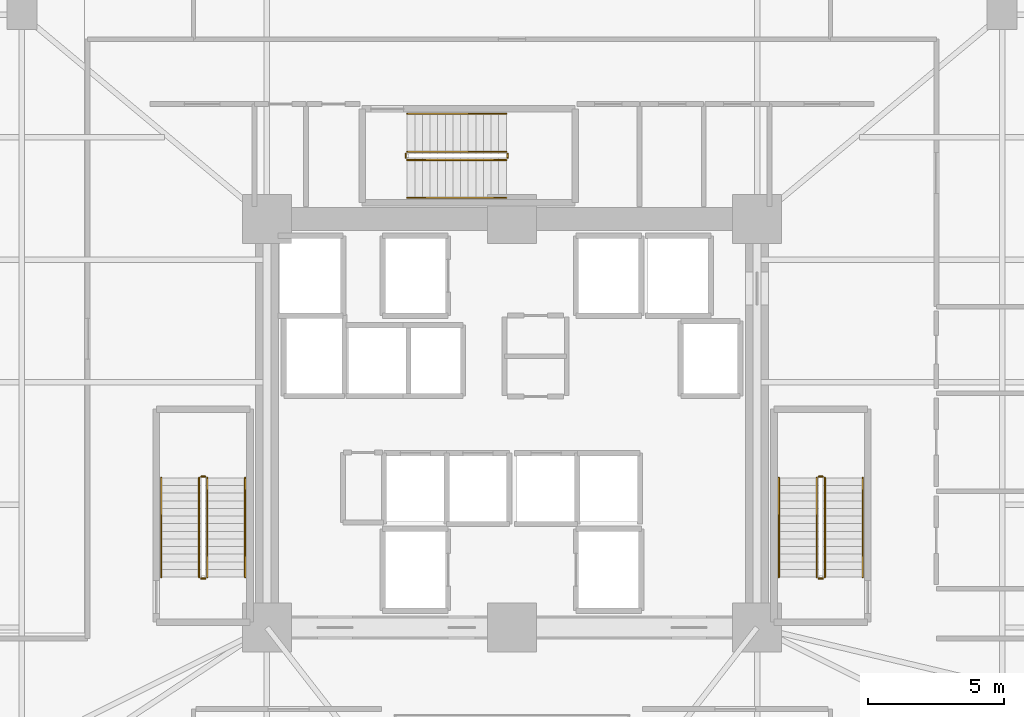
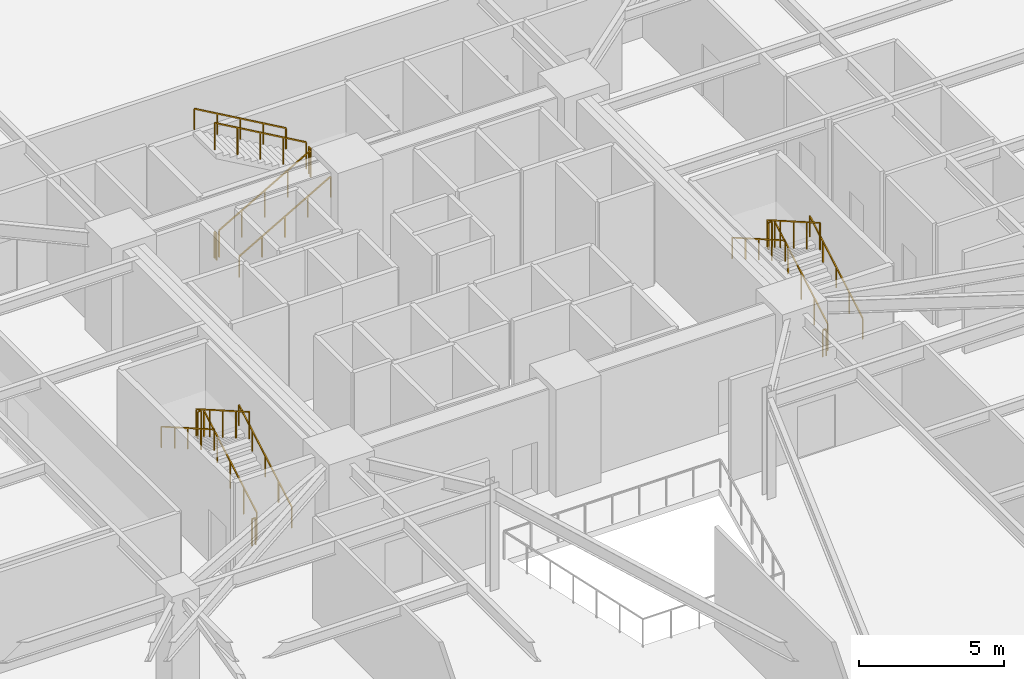
# One storey, part 17 of 19: 18 railings.
"""IFC4 building model written with IfcOpenShell, lengths in metres."""

from ifc_helpers import new_model, si_unit, direction, frame, origin, origin_2d, place, context, subcontext, project, spatial, rectangle, extrude, material, type_object, element, save


model = new_model("IFC4")

# Units and contexts
model_context = context("Model", 3, precision=1e-05, world=origin(), true_north=direction((0.0, 1.0)))
body_context = subcontext(model_context, "Body", "Model", "MODEL_VIEW")
ifc_project = project(units=[si_unit("LENGTHUNIT", "METRE"), si_unit("AREAUNIT", "SQUARE_METRE"), si_unit("VOLUMEUNIT", "CUBIC_METRE"), si_unit("PLANEANGLEUNIT", "RADIAN"), si_unit("MASSUNIT", "GRAM", prefix="KILO")], contexts=[model_context])

# Site, building, storey
site_placement = place(None, origin())
site = spatial("IfcSite", under=ifc_project, at=site_placement, CompositionType="ELEMENT")
building_placement = place(site_placement, origin())
building = spatial("IfcBuilding", under=site, at=building_placement, Name="Liaohun Quay Tower", CompositionType="ELEMENT")
storey_placement = place(building_placement, frame((0.0, 0.0, 9.89990234375)))
storey = spatial("IfcBuildingStorey", under=building, at=storey_placement, Name="L03", CompositionType="ELEMENT", Elevation=9.89990234375)

# Railings
ifc_material_1 = material(Name="Painted tubular steel", Category="steel")
railing_type_1 = type_object("IfcRailingType", Name="RLG-GUARD-STR", PredefinedType="GUARDRAIL", material=ifc_material_1)
railing_1_placement = place(storey_placement, frame((48.81005859375, 48.35009765625, 0.160888671875)))
element("IfcRailing", 1, at=railing_1_placement, inside=storey, type_object=railing_type_1, Name="L03 ST-1 stair guard 1", PredefinedType="GUARDRAIL", context=body_context, shape_type="SweptSolid", body=[
    extrude(rectangle(XDim=0.048095703125, YDim=0.048095703125, at=origin_2d()), frame((0.0, 0.0, 1.1259765625), z_axis=(0.0, 0.867300072446, 0.497785681127), x_axis=(-1.0, 0.0, 0.0)), (0.0, 0.0, 1.0), 4.19677734375),
    extrude(rectangle(XDim=0.0419921875, YDim=0.0419921875, at=origin_2d()), origin(), (0.0, 0.0, 1.0), 1.101806640625),
    extrude(rectangle(XDim=0.0419921875, YDim=0.0419921875, at=origin_2d()), frame((0.0, 0.909912109375, 0.522216796875)), (0.0, 0.0, 1.0), 1.101806640625),
    extrude(rectangle(XDim=0.0419921875, YDim=0.0419921875, at=origin_2d()), frame((0.0, 1.81982421875, 1.04443359375)), (0.0, 0.0, 1.0), 1.101806640625),
    extrude(rectangle(XDim=0.0419921875, YDim=0.0419921875, at=origin_2d()), frame((0.0, 2.72998046875, 1.56689453125)), (0.0, 0.0, 1.0), 1.101806640625),
    extrude(rectangle(XDim=0.0419921875, YDim=0.0419921875, at=origin_2d()), frame((0.0, 3.639892578125, 2.089111328125)), (0.0, 0.0, 1.0), 1.101806640625),
])
railing_2_placement = place(storey_placement, frame((48.72998046875, 52.0400390625, 2.25)))
element("IfcRailing", 2, at=railing_2_placement, inside=storey, type_object=railing_type_1, Name="L03 ST-1 stair guard 2", PredefinedType="GUARDRAIL", context=body_context, shape_type="SweptSolid", body=[
    extrude(rectangle(XDim=0.048095703125, YDim=0.048095703125, at=origin_2d()), frame((0.0, 0.0, 1.1259765625), z_axis=(-1.0, 0.0, 0.0), x_axis=(0.0, -1.0, 0.0)), (0.0, 0.0, 1.0), 0.139892578125),
    extrude(rectangle(XDim=0.0419921875, YDim=0.0419921875, at=origin_2d()), origin(), (0.0, 0.0, 1.0), 1.101806640625),
    extrude(rectangle(XDim=0.0419921875, YDim=0.0419921875, at=origin_2d()), frame((-0.139892578125, 0.0, 0.0)), (0.0, 0.0, 1.0), 1.101806640625),
])
railing_3_placement = place(storey_placement, frame((48.510009765625, 51.989990234375, 2.410888671875)))
element("IfcRailing", 3, at=railing_3_placement, inside=storey, type_object=railing_type_1, Name="L03 ST-1 stair guard 3", PredefinedType="GUARDRAIL", context=body_context, shape_type="SweptSolid", body=[
    extrude(rectangle(XDim=0.048095703125, YDim=0.048095703125, at=origin_2d()), frame((0.0, 0.0, 1.1259765625), z_axis=(0.0, -0.867300072446, 0.497785681127), x_axis=(1.0, 0.0, 0.0)), (0.0, 0.0, 1.0), 4.19677734375),
    extrude(rectangle(XDim=0.0419921875, YDim=0.0419921875, at=origin_2d()), origin(), (0.0, 0.0, 1.0), 1.101806640625),
    extrude(rectangle(XDim=0.0419921875, YDim=0.0419921875, at=origin_2d()), frame((0.0, -0.909912109375, 0.522216796875)), (0.0, 0.0, 1.0), 1.101806640625),
    extrude(rectangle(XDim=0.0419921875, YDim=0.0419921875, at=origin_2d()), frame((0.0, -1.81982421875, 1.04443359375)), (0.0, 0.0, 1.0), 1.101806640625),
    extrude(rectangle(XDim=0.0419921875, YDim=0.0419921875, at=origin_2d()), frame((0.0, -2.72998046875, 1.56689453125)), (0.0, 0.0, 1.0), 1.101806640625),
    extrude(rectangle(XDim=0.0419921875, YDim=0.0419921875, at=origin_2d()), frame((0.0, -3.639892578125, 2.089111328125)), (0.0, 0.0, 1.0), 1.101806640625),
])
railing_4_placement = place(storey_placement, frame((48.72998046875, 48.300048828125, 0.0)))
element("IfcRailing", 4, at=railing_4_placement, inside=storey, type_object=railing_type_1, Name="L03 ST-1 stair guard 4", PredefinedType="GUARDRAIL", context=body_context, shape_type="SweptSolid", body=[
    extrude(rectangle(XDim=0.048095703125, YDim=0.048095703125, at=origin_2d()), frame((0.0, 0.0, 1.1259765625), z_axis=(-1.0, 0.0, 0.0), x_axis=(0.0, -1.0, 0.0)), (0.0, 0.0, 1.0), 0.139892578125),
    extrude(rectangle(XDim=0.0419921875, YDim=0.0419921875, at=origin_2d()), origin(), (0.0, 0.0, 1.0), 1.101806640625),
    extrude(rectangle(XDim=0.0419921875, YDim=0.0419921875, at=origin_2d()), frame((-0.139892578125, 0.0, 0.0)), (0.0, 0.0, 1.0), 1.101806640625),
])
railing_5_placement = place(storey_placement, frame((71.489990234375, 48.35009765625, 0.160888671875)))
element("IfcRailing", 5, at=railing_5_placement, inside=storey, type_object=railing_type_1, Name="L03 ST-2 stair guard 1", PredefinedType="GUARDRAIL", context=body_context, shape_type="SweptSolid", body=[
    extrude(rectangle(XDim=0.048095703125, YDim=0.048095703125, at=origin_2d()), frame((0.0, 0.0, 1.1259765625), z_axis=(0.0, 0.867300072446, 0.497785681127), x_axis=(-1.0, 0.0, 0.0)), (0.0, 0.0, 1.0), 4.19677734375),
    extrude(rectangle(XDim=0.0419921875, YDim=0.0419921875, at=origin_2d()), origin(), (0.0, 0.0, 1.0), 1.101806640625),
    extrude(rectangle(XDim=0.0419921875, YDim=0.0419921875, at=origin_2d()), frame((0.0, 0.909912109375, 0.522216796875)), (0.0, 0.0, 1.0), 1.101806640625),
    extrude(rectangle(XDim=0.0419921875, YDim=0.0419921875, at=origin_2d()), frame((0.0, 1.81982421875, 1.04443359375)), (0.0, 0.0, 1.0), 1.101806640625),
    extrude(rectangle(XDim=0.0419921875, YDim=0.0419921875, at=origin_2d()), frame((0.0, 2.72998046875, 1.56689453125)), (0.0, 0.0, 1.0), 1.101806640625),
    extrude(rectangle(XDim=0.0419921875, YDim=0.0419921875, at=origin_2d()), frame((0.0, 3.639892578125, 2.089111328125)), (0.0, 0.0, 1.0), 1.101806640625),
])
railing_6_placement = place(storey_placement, frame((71.409912109375, 52.0400390625, 2.25)))
element("IfcRailing", 6, at=railing_6_placement, inside=storey, type_object=railing_type_1, Name="L03 ST-2 stair guard 2", PredefinedType="GUARDRAIL", context=body_context, shape_type="SweptSolid", body=[
    extrude(rectangle(XDim=0.048095703125, YDim=0.048095703125, at=origin_2d()), frame((0.0, 0.0, 1.1259765625), z_axis=(-1.0, 0.0, 0.0), x_axis=(0.0, -1.0, 0.0)), (0.0, 0.0, 1.0), 0.139892578125),
    extrude(rectangle(XDim=0.0419921875, YDim=0.0419921875, at=origin_2d()), origin(), (0.0, 0.0, 1.0), 1.101806640625),
    extrude(rectangle(XDim=0.0419921875, YDim=0.0419921875, at=origin_2d()), frame((-0.139892578125, 0.0, 0.0)), (0.0, 0.0, 1.0), 1.101806640625),
])
railing_7_placement = place(storey_placement, frame((71.18994140625, 51.989990234375, 2.410888671875)))
element("IfcRailing", 7, at=railing_7_placement, inside=storey, type_object=railing_type_1, Name="L03 ST-2 stair guard 3", PredefinedType="GUARDRAIL", context=body_context, shape_type="SweptSolid", body=[
    extrude(rectangle(XDim=0.048095703125, YDim=0.048095703125, at=origin_2d()), frame((0.0, 0.0, 1.1259765625), z_axis=(0.0, -0.867300072446, 0.497785681127), x_axis=(1.0, 0.0, 0.0)), (0.0, 0.0, 1.0), 4.19677734375),
    extrude(rectangle(XDim=0.0419921875, YDim=0.0419921875, at=origin_2d()), origin(), (0.0, 0.0, 1.0), 1.101806640625),
    extrude(rectangle(XDim=0.0419921875, YDim=0.0419921875, at=origin_2d()), frame((0.0, -0.909912109375, 0.522216796875)), (0.0, 0.0, 1.0), 1.101806640625),
    extrude(rectangle(XDim=0.0419921875, YDim=0.0419921875, at=origin_2d()), frame((0.0, -1.81982421875, 1.04443359375)), (0.0, 0.0, 1.0), 1.101806640625),
    extrude(rectangle(XDim=0.0419921875, YDim=0.0419921875, at=origin_2d()), frame((0.0, -2.72998046875, 1.56689453125)), (0.0, 0.0, 1.0), 1.101806640625),
    extrude(rectangle(XDim=0.0419921875, YDim=0.0419921875, at=origin_2d()), frame((0.0, -3.639892578125, 2.089111328125)), (0.0, 0.0, 1.0), 1.101806640625),
])
railing_8_placement = place(storey_placement, frame((71.409912109375, 48.300048828125, 0.0)))
element("IfcRailing", 8, at=railing_8_placement, inside=storey, type_object=railing_type_1, Name="L03 ST-2 stair guard 4", PredefinedType="GUARDRAIL", context=body_context, shape_type="SweptSolid", body=[
    extrude(rectangle(XDim=0.048095703125, YDim=0.048095703125, at=origin_2d()), frame((0.0, 0.0, 1.1259765625), z_axis=(-1.0, 0.0, 0.0), x_axis=(0.0, -1.0, 0.0)), (0.0, 0.0, 1.0), 0.139892578125),
    extrude(rectangle(XDim=0.0419921875, YDim=0.0419921875, at=origin_2d()), origin(), (0.0, 0.0, 1.0), 1.101806640625),
    extrude(rectangle(XDim=0.0419921875, YDim=0.0419921875, at=origin_2d()), frame((-0.139892578125, 0.0, 0.0)), (0.0, 0.0, 1.0), 1.101806640625),
])
railing_9_placement = place(storey_placement, frame((56.14990234375, 63.669921875, 0.160888671875)))
element("IfcRailing", 9, at=railing_9_placement, inside=storey, type_object=railing_type_1, Name="L03 ST-3 stair guard 1", PredefinedType="GUARDRAIL", context=body_context, shape_type="SweptSolid", body=[
    extrude(rectangle(XDim=0.048095703125, YDim=0.048095703125, at=origin_2d()), frame((0.0, 0.0, 1.1259765625), z_axis=(0.867314486057, 0.0, 0.497760567216), x_axis=(0.0, 1.0, 0.0)), (0.0, 0.0, 1.0), 4.197021484375),
    extrude(rectangle(XDim=0.0419921875, YDim=0.0419921875, at=origin_2d()), origin(), (0.0, 0.0, 1.0), 1.101806640625),
    extrude(rectangle(XDim=0.0419921875, YDim=0.0419921875, at=origin_2d()), frame((0.91015625, 0.0, 0.522216796875)), (0.0, 0.0, 1.0), 1.101806640625),
    extrude(rectangle(XDim=0.0419921875, YDim=0.0419921875, at=origin_2d()), frame((1.820068359375, 0.0, 1.04443359375)), (0.0, 0.0, 1.0), 1.101806640625),
    extrude(rectangle(XDim=0.0419921875, YDim=0.0419921875, at=origin_2d()), frame((2.72998046875, 0.0, 1.56689453125)), (0.0, 0.0, 1.0), 1.101806640625),
    extrude(rectangle(XDim=0.0419921875, YDim=0.0419921875, at=origin_2d()), frame((3.64013671875, 0.0, 2.089111328125)), (0.0, 0.0, 1.0), 1.101806640625),
])
railing_10_placement = place(storey_placement, frame((59.840087890625, 63.75, 2.25)))
element("IfcRailing", 10, at=railing_10_placement, inside=storey, type_object=railing_type_1, Name="L03 ST-3 stair guard 2", PredefinedType="GUARDRAIL", context=body_context, shape_type="SweptSolid", body=[
    extrude(rectangle(XDim=0.048095703125, YDim=0.048095703125, at=origin_2d()), frame((0.0, 0.0, 1.1259765625), z_axis=(0.0, 1.0, 0.0), x_axis=(-1.0, 0.0, 0.0)), (0.0, 0.0, 1.0), 0.139892578125),
    extrude(rectangle(XDim=0.0419921875, YDim=0.0419921875, at=origin_2d()), origin(), (0.0, 0.0, 1.0), 1.101806640625),
    extrude(rectangle(XDim=0.0419921875, YDim=0.0419921875, at=origin_2d()), frame((0.0, 0.139892578125, 0.0)), (0.0, 0.0, 1.0), 1.101806640625),
])
railing_11_placement = place(storey_placement, frame((59.7900390625, 63.969970703125, 2.410888671875)))
element("IfcRailing", 11, at=railing_11_placement, inside=storey, type_object=railing_type_1, Name="L03 ST-3 stair guard 3", PredefinedType="GUARDRAIL", context=body_context, shape_type="SweptSolid", body=[
    extrude(rectangle(XDim=0.048095703125, YDim=0.048095703125, at=origin_2d()), frame((0.0, 0.0, 1.1259765625), z_axis=(-0.867314486057, 0.0, 0.497760567216), x_axis=(0.0, -1.0, 0.0)), (0.0, 0.0, 1.0), 4.197021484375),
    extrude(rectangle(XDim=0.0419921875, YDim=0.0419921875, at=origin_2d()), origin(), (0.0, 0.0, 1.0), 1.101806640625),
    extrude(rectangle(XDim=0.0419921875, YDim=0.0419921875, at=origin_2d()), frame((-0.91015625, 0.0, 0.522216796875)), (0.0, 0.0, 1.0), 1.101806640625),
    extrude(rectangle(XDim=0.0419921875, YDim=0.0419921875, at=origin_2d()), frame((-1.820068359375, 0.0, 1.04443359375)), (0.0, 0.0, 1.0), 1.101806640625),
    extrude(rectangle(XDim=0.0419921875, YDim=0.0419921875, at=origin_2d()), frame((-2.72998046875, 0.0, 1.56689453125)), (0.0, 0.0, 1.0), 1.101806640625),
    extrude(rectangle(XDim=0.0419921875, YDim=0.0419921875, at=origin_2d()), frame((-3.64013671875, 0.0, 2.089111328125)), (0.0, 0.0, 1.0), 1.101806640625),
])
railing_12_placement = place(storey_placement, frame((56.10009765625, 63.75, 0.0)))
element("IfcRailing", 12, at=railing_12_placement, inside=storey, type_object=railing_type_1, Name="L03 ST-3 stair guard 4", PredefinedType="GUARDRAIL", context=body_context, shape_type="SweptSolid", body=[
    extrude(rectangle(XDim=0.048095703125, YDim=0.048095703125, at=origin_2d()), frame((0.0, 0.0, 1.1259765625), z_axis=(0.0, 1.0, 0.0), x_axis=(-1.0, 0.0, 0.0)), (0.0, 0.0, 1.0), 0.139892578125),
    extrude(rectangle(XDim=0.0419921875, YDim=0.0419921875, at=origin_2d()), origin(), (0.0, 0.0, 1.0), 1.101806640625),
    extrude(rectangle(XDim=0.0419921875, YDim=0.0419921875, at=origin_2d()), frame((0.0, 0.139892578125, 0.0)), (0.0, 0.0, 1.0), 1.101806640625),
])
ifc_material_2 = material(Name="Brushed stainless steel", Category="steel")
railing_type_2 = type_object("IfcRailingType", Name="RLG-HND-STR", PredefinedType="HANDRAIL", material=ifc_material_2)
railing_13_placement = place(storey_placement, frame((50.199951171875, 48.35009765625, 0.160888671875)))
element("IfcRailing", 13, at=railing_13_placement, inside=storey, type_object=railing_type_2, Name="L03 ST-1 stair handrail 1", PredefinedType="HANDRAIL", context=body_context, shape_type="SweptSolid", body=[
    extrude(rectangle(XDim=0.048095703125, YDim=0.048095703125, at=origin_2d()), frame((0.0, 0.0, 0.8759765625), z_axis=(0.0, 0.867300072446, 0.497785681127), x_axis=(-1.0, 0.0, 0.0)), (0.0, 0.0, 1.0), 4.19677734375),
    extrude(rectangle(XDim=0.0419921875, YDim=0.0419921875, at=origin_2d()), origin(), (0.0, 0.0, 1.0), 0.851806640625),
    extrude(rectangle(XDim=0.0419921875, YDim=0.0419921875, at=origin_2d()), frame((0.0, 0.909912109375, 0.522216796875)), (0.0, 0.0, 1.0), 0.851806640625),
    extrude(rectangle(XDim=0.0419921875, YDim=0.0419921875, at=origin_2d()), frame((0.0, 1.81982421875, 1.04443359375)), (0.0, 0.0, 1.0), 0.851806640625),
    extrude(rectangle(XDim=0.0419921875, YDim=0.0419921875, at=origin_2d()), frame((0.0, 2.72998046875, 1.56689453125)), (0.0, 0.0, 1.0), 0.851806640625),
    extrude(rectangle(XDim=0.0419921875, YDim=0.0419921875, at=origin_2d()), frame((0.0, 3.639892578125, 2.089111328125)), (0.0, 0.0, 1.0), 0.851806640625),
])
railing_14_placement = place(storey_placement, frame((47.1201171875, 51.989990234375, 2.410888671875)))
element("IfcRailing", 14, at=railing_14_placement, inside=storey, type_object=railing_type_2, Name="L03 ST-1 stair handrail 2", PredefinedType="HANDRAIL", context=body_context, shape_type="SweptSolid", body=[
    extrude(rectangle(XDim=0.048095703125, YDim=0.048095703125, at=origin_2d()), frame((0.0, 0.0, 0.8759765625), z_axis=(0.0, -0.867300072446, 0.497785681127), x_axis=(1.0, 0.0, 0.0)), (0.0, 0.0, 1.0), 4.19677734375),
    extrude(rectangle(XDim=0.0419921875, YDim=0.0419921875, at=origin_2d()), origin(), (0.0, 0.0, 1.0), 0.851806640625),
    extrude(rectangle(XDim=0.0419921875, YDim=0.0419921875, at=origin_2d()), frame((0.0, -0.909912109375, 0.522216796875)), (0.0, 0.0, 1.0), 0.851806640625),
    extrude(rectangle(XDim=0.0419921875, YDim=0.0419921875, at=origin_2d()), frame((0.0, -1.81982421875, 1.04443359375)), (0.0, 0.0, 1.0), 0.851806640625),
    extrude(rectangle(XDim=0.0419921875, YDim=0.0419921875, at=origin_2d()), frame((0.0, -2.72998046875, 1.56689453125)), (0.0, 0.0, 1.0), 0.851806640625),
    extrude(rectangle(XDim=0.0419921875, YDim=0.0419921875, at=origin_2d()), frame((0.0, -3.639892578125, 2.089111328125)), (0.0, 0.0, 1.0), 0.851806640625),
])
railing_15_placement = place(storey_placement, frame((72.8798828125, 48.35009765625, 0.160888671875)))
element("IfcRailing", 15, at=railing_15_placement, inside=storey, type_object=railing_type_2, Name="L03 ST-2 stair handrail 1", PredefinedType="HANDRAIL", context=body_context, shape_type="SweptSolid", body=[
    extrude(rectangle(XDim=0.048095703125, YDim=0.048095703125, at=origin_2d()), frame((0.0, 0.0, 0.8759765625), z_axis=(0.0, 0.867300072446, 0.497785681127), x_axis=(-1.0, 0.0, 0.0)), (0.0, 0.0, 1.0), 4.19677734375),
    extrude(rectangle(XDim=0.0419921875, YDim=0.0419921875, at=origin_2d()), origin(), (0.0, 0.0, 1.0), 0.851806640625),
    extrude(rectangle(XDim=0.0419921875, YDim=0.0419921875, at=origin_2d()), frame((0.0, 0.909912109375, 0.522216796875)), (0.0, 0.0, 1.0), 0.851806640625),
    extrude(rectangle(XDim=0.0419921875, YDim=0.0419921875, at=origin_2d()), frame((0.0, 1.81982421875, 1.04443359375)), (0.0, 0.0, 1.0), 0.851806640625),
    extrude(rectangle(XDim=0.0419921875, YDim=0.0419921875, at=origin_2d()), frame((0.0, 2.72998046875, 1.56689453125)), (0.0, 0.0, 1.0), 0.851806640625),
    extrude(rectangle(XDim=0.0419921875, YDim=0.0419921875, at=origin_2d()), frame((0.0, 3.639892578125, 2.089111328125)), (0.0, 0.0, 1.0), 0.851806640625),
])
railing_16_placement = place(storey_placement, frame((69.800048828125, 51.989990234375, 2.410888671875)))
element("IfcRailing", 16, at=railing_16_placement, inside=storey, type_object=railing_type_2, Name="L03 ST-2 stair handrail 2", PredefinedType="HANDRAIL", context=body_context, shape_type="SweptSolid", body=[
    extrude(rectangle(XDim=0.048095703125, YDim=0.048095703125, at=origin_2d()), frame((0.0, 0.0, 0.8759765625), z_axis=(0.0, -0.867300072446, 0.497785681127), x_axis=(1.0, 0.0, 0.0)), (0.0, 0.0, 1.0), 4.19677734375),
    extrude(rectangle(XDim=0.0419921875, YDim=0.0419921875, at=origin_2d()), origin(), (0.0, 0.0, 1.0), 0.851806640625),
    extrude(rectangle(XDim=0.0419921875, YDim=0.0419921875, at=origin_2d()), frame((0.0, -0.909912109375, 0.522216796875)), (0.0, 0.0, 1.0), 0.851806640625),
    extrude(rectangle(XDim=0.0419921875, YDim=0.0419921875, at=origin_2d()), frame((0.0, -1.81982421875, 1.04443359375)), (0.0, 0.0, 1.0), 0.851806640625),
    extrude(rectangle(XDim=0.0419921875, YDim=0.0419921875, at=origin_2d()), frame((0.0, -2.72998046875, 1.56689453125)), (0.0, 0.0, 1.0), 0.851806640625),
    extrude(rectangle(XDim=0.0419921875, YDim=0.0419921875, at=origin_2d()), frame((0.0, -3.639892578125, 2.089111328125)), (0.0, 0.0, 1.0), 0.851806640625),
])
railing_17_placement = place(storey_placement, frame((56.14990234375, 62.280029296875, 0.160888671875)))
element("IfcRailing", 17, at=railing_17_placement, inside=storey, type_object=railing_type_2, Name="L03 ST-3 stair handrail 1", PredefinedType="HANDRAIL", context=body_context, shape_type="SweptSolid", body=[
    extrude(rectangle(XDim=0.048095703125, YDim=0.048095703125, at=origin_2d()), frame((0.0, 0.0, 0.8759765625), z_axis=(0.867314486057, 0.0, 0.497760567216), x_axis=(0.0, 1.0, 0.0)), (0.0, 0.0, 1.0), 4.197021484375),
    extrude(rectangle(XDim=0.0419921875, YDim=0.0419921875, at=origin_2d()), origin(), (0.0, 0.0, 1.0), 0.851806640625),
    extrude(rectangle(XDim=0.0419921875, YDim=0.0419921875, at=origin_2d()), frame((0.91015625, 0.0, 0.522216796875)), (0.0, 0.0, 1.0), 0.851806640625),
    extrude(rectangle(XDim=0.0419921875, YDim=0.0419921875, at=origin_2d()), frame((1.820068359375, 0.0, 1.04443359375)), (0.0, 0.0, 1.0), 0.851806640625),
    extrude(rectangle(XDim=0.0419921875, YDim=0.0419921875, at=origin_2d()), frame((2.72998046875, 0.0, 1.56689453125)), (0.0, 0.0, 1.0), 0.851806640625),
    extrude(rectangle(XDim=0.0419921875, YDim=0.0419921875, at=origin_2d()), frame((3.64013671875, 0.0, 2.089111328125)), (0.0, 0.0, 1.0), 0.851806640625),
])
railing_18_placement = place(storey_placement, frame((59.7900390625, 65.360107421875, 2.410888671875)))
element("IfcRailing", 18, at=railing_18_placement, inside=storey, type_object=railing_type_2, Name="L03 ST-3 stair handrail 2", PredefinedType="HANDRAIL", context=body_context, shape_type="SweptSolid", body=[
    extrude(rectangle(XDim=0.048095703125, YDim=0.048095703125, at=origin_2d()), frame((0.0, 0.0, 0.8759765625), z_axis=(-0.867314486057, 0.0, 0.497760567216), x_axis=(0.0, -1.0, 0.0)), (0.0, 0.0, 1.0), 4.197021484375),
    extrude(rectangle(XDim=0.0419921875, YDim=0.0419921875, at=origin_2d()), origin(), (0.0, 0.0, 1.0), 0.851806640625),
    extrude(rectangle(XDim=0.0419921875, YDim=0.0419921875, at=origin_2d()), frame((-0.91015625, 0.0, 0.522216796875)), (0.0, 0.0, 1.0), 0.851806640625),
    extrude(rectangle(XDim=0.0419921875, YDim=0.0419921875, at=origin_2d()), frame((-1.820068359375, 0.0, 1.04443359375)), (0.0, 0.0, 1.0), 0.851806640625),
    extrude(rectangle(XDim=0.0419921875, YDim=0.0419921875, at=origin_2d()), frame((-2.72998046875, 0.0, 1.56689453125)), (0.0, 0.0, 1.0), 0.851806640625),
    extrude(rectangle(XDim=0.0419921875, YDim=0.0419921875, at=origin_2d()), frame((-3.64013671875, 0.0, 2.089111328125)), (0.0, 0.0, 1.0), 0.851806640625),
])

save(model, "model.ifc")
